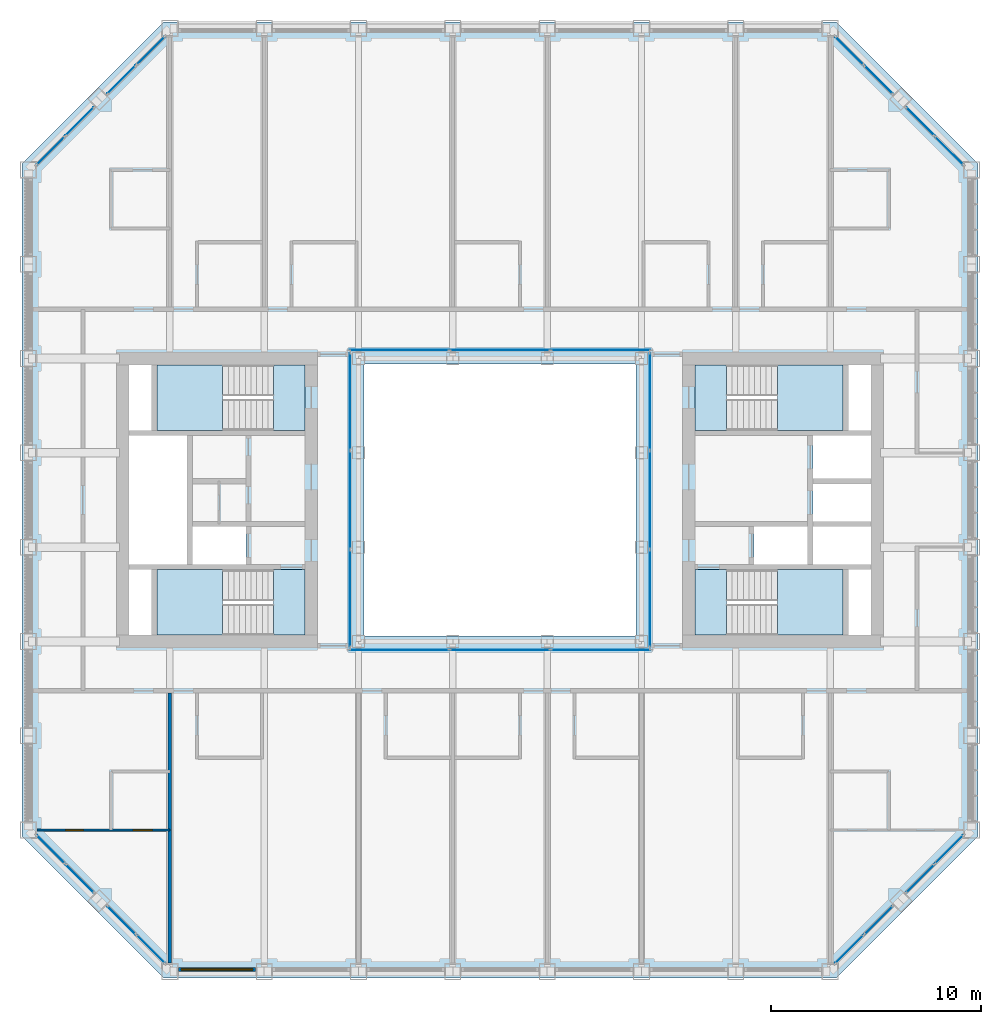
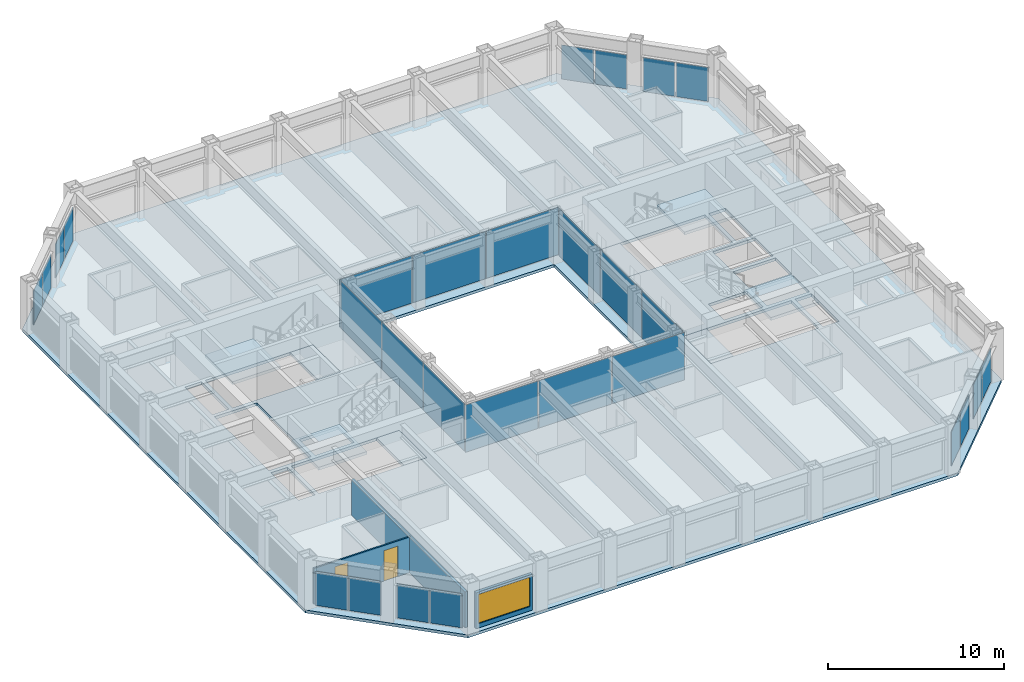
# One storey, part 9 of 17: 28 plates, 9 slabs, 3 walls, 2 doors, 1 window, 3 openings, 16 elements without a shape of their own.
"""IFC4 building model written with IfcOpenShell, lengths in metres."""

from ifc_helpers import new_model, si_unit, direction, frame, frame_2d, origin, origin_2d, place, context, subcontext, project, spatial, polyline, rectangle, outline, extrude, material, layer, layer_set, type_object, element, fill, aggregate, save


model = new_model("IFC4")

# Units and contexts
model_context = context("Model", 3, precision=1e-05, world=origin(), true_north=direction((0.0, 1.0)))
body_context = subcontext(model_context, "Body", "Model", "MODEL_VIEW")
ifc_project = project(units=[si_unit("LENGTHUNIT", "METRE"), si_unit("AREAUNIT", "SQUARE_METRE"), si_unit("VOLUMEUNIT", "CUBIC_METRE"), si_unit("PLANEANGLEUNIT", "RADIAN"), si_unit("MASSUNIT", "GRAM", prefix="KILO")], contexts=[model_context])

# Site, building, storey
site_placement = place(None, origin())
site = spatial("IfcSite", under=ifc_project, at=site_placement, CompositionType="ELEMENT")
building_placement = place(site_placement, origin())
building = spatial("IfcBuilding", under=site, at=building_placement, Name="Msasa Ring Tower", CompositionType="ELEMENT")
storey_placement = place(building_placement, frame((0.0, 0.0, 154.39990234375)))
storey = spatial("IfcBuildingStorey", under=building, at=storey_placement, Name="L40", CompositionType="ELEMENT", Elevation=154.39990234375)

# Curtain wall, plates
ifc_material_1 = material(Name="Aluminium curtain wall with clear glass", Category="aluminium")
curtain_wall_type_1 = type_object("IfcCurtainWallType", Name="CW-C CHAMFER CORNER CURTAIN WALL", PredefinedType="NOTDEFINED", material=ifc_material_1)
curtain_wall_1_placement = place(storey_placement, origin())
curtain_wall_1 = element("IfcCurtainWall", 1, at=curtain_wall_1_placement, inside=storey, type_object=curtain_wall_type_1, Name="Chamfer corner curtain wall SE L40", PredefinedType="NOTDEFINED")
ifc_material_2 = material(Name="Clear laminated insulating glass unit", Category="glass")
ifc_layer_1 = layer(ifc_material_2, 0.031982421875)
ifc_layer_set_1 = layer_set([ifc_layer_1], Name="CW-C GLASS PANEL 32")
plate_type_1 = type_object("IfcPlateType", Name="CW-C GLASS PANEL 32", PredefinedType="CURTAIN_PANEL", material=ifc_layer_set_1)
plate_1_placement = place(storey_placement, frame((16.677734375, -21.430908203125, 0.06494140625), z_axis=(0.0, 0.0, 1.0), x_axis=(0.707106781187, 0.707106781187, 0.0)))
plate_1 = element("IfcPlate", 2, at=plate_1_placement, type_object=plate_type_1, Name="CW-C panel 1.1", PredefinedType="CURTAIN_PANEL", context=body_context, shape_type="SweptSolid", body=[
    extrude(rectangle(XDim=1.884033203125, YDim=0.031982421875, at=origin_2d()), origin(), (0.0, 0.0, 1.0), 2.34912109375),
])
plate_2_placement = place(storey_placement, frame((18.055908203125, -20.052734375, 0.06494140625), z_axis=(0.0, 0.0, 1.0), x_axis=(0.707106781187, 0.707106781187, 0.0)))
plate_2 = element("IfcPlate", 3, at=plate_2_placement, type_object=plate_type_1, Name="CW-C panel 2.1", PredefinedType="CURTAIN_PANEL", context=body_context, shape_type="SweptSolid", body=[
    extrude(rectangle(XDim=1.884033203125, YDim=0.031982421875, at=origin_2d()), origin(), (0.0, 0.0, 1.0), 2.34912109375),
])
aggregate(curtain_wall_1, [plate_1, plate_2])

curtain_wall_2_placement = place(storey_placement, origin())
curtain_wall_2 = element("IfcCurtainWall", 4, at=curtain_wall_2_placement, inside=storey, type_object=curtain_wall_type_1, Name="Chamfer corner curtain wall SE L40", PredefinedType="NOTDEFINED")
plate_3_placement = place(storey_placement, frame((20.052734375, -18.055908203125, 0.06494140625), z_axis=(0.0, 0.0, 1.0), x_axis=(0.707106781187, 0.707106781187, 0.0)))
plate_3 = element("IfcPlate", 5, at=plate_3_placement, type_object=plate_type_1, Name="CW-C panel 1.1", PredefinedType="CURTAIN_PANEL", context=body_context, shape_type="SweptSolid", body=[
    extrude(rectangle(XDim=1.884033203125, YDim=0.031982421875, at=origin_2d()), origin(), (0.0, 0.0, 1.0), 2.34912109375),
])
plate_4_placement = place(storey_placement, frame((21.430908203125, -16.677734375, 0.06494140625), z_axis=(0.0, 0.0, 1.0), x_axis=(0.707106781187, 0.707106781187, 0.0)))
plate_4 = element("IfcPlate", 6, at=plate_4_placement, type_object=plate_type_1, Name="CW-C panel 2.1", PredefinedType="CURTAIN_PANEL", context=body_context, shape_type="SweptSolid", body=[
    extrude(rectangle(XDim=1.884033203125, YDim=0.031982421875, at=origin_2d()), origin(), (0.0, 0.0, 1.0), 2.34912109375),
])
aggregate(curtain_wall_2, [plate_3, plate_4])

curtain_wall_3_placement = place(storey_placement, origin())
curtain_wall_3 = element("IfcCurtainWall", 7, at=curtain_wall_3_placement, inside=storey, type_object=curtain_wall_type_1, Name="Chamfer corner curtain wall NE L40", PredefinedType="NOTDEFINED")
plate_5_placement = place(storey_placement, frame((18.055908203125, 20.052734375, 0.06494140625), z_axis=(0.0, 0.0, 1.0), x_axis=(-0.707106781187, 0.707106781187, 0.0)))
plate_5 = element("IfcPlate", 8, at=plate_5_placement, type_object=plate_type_1, Name="CW-C panel 1.1", PredefinedType="CURTAIN_PANEL", context=body_context, shape_type="SweptSolid", body=[
    extrude(rectangle(XDim=1.884033203125, YDim=0.031982421875, at=origin_2d()), origin(), (0.0, 0.0, 1.0), 2.34912109375),
])
plate_6_placement = place(storey_placement, frame((16.677734375, 21.430908203125, 0.06494140625), z_axis=(0.0, 0.0, 1.0), x_axis=(-0.707106781187, 0.707106781187, 0.0)))
plate_6 = element("IfcPlate", 9, at=plate_6_placement, type_object=plate_type_1, Name="CW-C panel 2.1", PredefinedType="CURTAIN_PANEL", context=body_context, shape_type="SweptSolid", body=[
    extrude(rectangle(XDim=1.884033203125, YDim=0.031982421875, at=origin_2d()), origin(), (0.0, 0.0, 1.0), 2.34912109375),
])
aggregate(curtain_wall_3, [plate_5, plate_6])

curtain_wall_4_placement = place(storey_placement, origin())
curtain_wall_4 = element("IfcCurtainWall", 10, at=curtain_wall_4_placement, inside=storey, type_object=curtain_wall_type_1, Name="Chamfer corner curtain wall NE L40", PredefinedType="NOTDEFINED")
plate_7_placement = place(storey_placement, frame((21.430908203125, 16.677734375, 0.06494140625), z_axis=(0.0, 0.0, 1.0), x_axis=(-0.707106781187, 0.707106781187, 0.0)))
plate_7 = element("IfcPlate", 11, at=plate_7_placement, type_object=plate_type_1, Name="CW-C panel 1.1", PredefinedType="CURTAIN_PANEL", context=body_context, shape_type="SweptSolid", body=[
    extrude(rectangle(XDim=1.884033203125, YDim=0.031982421875, at=origin_2d()), origin(), (0.0, 0.0, 1.0), 2.34912109375),
])
plate_8_placement = place(storey_placement, frame((20.052734375, 18.055908203125, 0.06494140625), z_axis=(0.0, 0.0, 1.0), x_axis=(-0.707106781187, 0.707106781187, 0.0)))
plate_8 = element("IfcPlate", 12, at=plate_8_placement, type_object=plate_type_1, Name="CW-C panel 2.1", PredefinedType="CURTAIN_PANEL", context=body_context, shape_type="SweptSolid", body=[
    extrude(rectangle(XDim=1.884033203125, YDim=0.031982421875, at=origin_2d()), origin(), (0.0, 0.0, 1.0), 2.34912109375),
])
aggregate(curtain_wall_4, [plate_7, plate_8])

curtain_wall_5_placement = place(storey_placement, origin())
curtain_wall_5 = element("IfcCurtainWall", 13, at=curtain_wall_5_placement, inside=storey, type_object=curtain_wall_type_1, Name="Chamfer corner curtain wall NW L40", PredefinedType="NOTDEFINED")
plate_9_placement = place(storey_placement, frame((-20.052734375, 18.055908203125, 0.06494140625), z_axis=(0.0, 0.0, 1.0), x_axis=(-0.707106781187, -0.707106781187, 0.0)))
plate_9 = element("IfcPlate", 14, at=plate_9_placement, type_object=plate_type_1, Name="CW-C panel 1.1", PredefinedType="CURTAIN_PANEL", context=body_context, shape_type="SweptSolid", body=[
    extrude(rectangle(XDim=1.884033203125, YDim=0.031982421875, at=origin_2d()), origin(), (0.0, 0.0, 1.0), 2.34912109375),
])
plate_10_placement = place(storey_placement, frame((-21.430908203125, 16.677734375, 0.06494140625), z_axis=(0.0, 0.0, 1.0), x_axis=(-0.707106781187, -0.707106781187, 0.0)))
plate_10 = element("IfcPlate", 15, at=plate_10_placement, type_object=plate_type_1, Name="CW-C panel 2.1", PredefinedType="CURTAIN_PANEL", context=body_context, shape_type="SweptSolid", body=[
    extrude(rectangle(XDim=1.884033203125, YDim=0.031982421875, at=origin_2d()), origin(), (0.0, 0.0, 1.0), 2.34912109375),
])
aggregate(curtain_wall_5, [plate_9, plate_10])

curtain_wall_6_placement = place(storey_placement, origin())
curtain_wall_6 = element("IfcCurtainWall", 16, at=curtain_wall_6_placement, inside=storey, type_object=curtain_wall_type_1, Name="Chamfer corner curtain wall NW L40", PredefinedType="NOTDEFINED")
plate_11_placement = place(storey_placement, frame((-16.677734375, 21.430908203125, 0.06494140625), z_axis=(0.0, 0.0, 1.0), x_axis=(-0.707106781187, -0.707106781187, 0.0)))
plate_11 = element("IfcPlate", 17, at=plate_11_placement, type_object=plate_type_1, Name="CW-C panel 1.1", PredefinedType="CURTAIN_PANEL", context=body_context, shape_type="SweptSolid", body=[
    extrude(rectangle(XDim=1.884033203125, YDim=0.031982421875, at=origin_2d()), origin(), (0.0, 0.0, 1.0), 2.34912109375),
])
plate_12_placement = place(storey_placement, frame((-18.055908203125, 20.052734375, 0.06494140625), z_axis=(0.0, 0.0, 1.0), x_axis=(-0.707106781187, -0.707106781187, 0.0)))
plate_12 = element("IfcPlate", 18, at=plate_12_placement, type_object=plate_type_1, Name="CW-C panel 2.1", PredefinedType="CURTAIN_PANEL", context=body_context, shape_type="SweptSolid", body=[
    extrude(rectangle(XDim=1.884033203125, YDim=0.031982421875, at=origin_2d()), origin(), (0.0, 0.0, 1.0), 2.34912109375),
])
aggregate(curtain_wall_6, [plate_11, plate_12])

curtain_wall_7_placement = place(storey_placement, origin())
curtain_wall_7 = element("IfcCurtainWall", 19, at=curtain_wall_7_placement, inside=storey, type_object=curtain_wall_type_1, Name="Chamfer corner curtain wall SW L40", PredefinedType="NOTDEFINED")
plate_13_placement = place(storey_placement, frame((-21.430908203125, -16.677734375, 0.06494140625), z_axis=(0.0, 0.0, 1.0), x_axis=(0.707106781187, -0.707106781187, 0.0)))
plate_13 = element("IfcPlate", 20, at=plate_13_placement, type_object=plate_type_1, Name="CW-C panel 1.1", PredefinedType="CURTAIN_PANEL", context=body_context, shape_type="SweptSolid", body=[
    extrude(rectangle(XDim=1.884033203125, YDim=0.031982421875, at=origin_2d()), origin(), (0.0, 0.0, 1.0), 2.34912109375),
])
plate_14_placement = place(storey_placement, frame((-20.052734375, -18.055908203125, 0.06494140625), z_axis=(0.0, 0.0, 1.0), x_axis=(0.707106781187, -0.707106781187, 0.0)))
plate_14 = element("IfcPlate", 21, at=plate_14_placement, type_object=plate_type_1, Name="CW-C panel 2.1", PredefinedType="CURTAIN_PANEL", context=body_context, shape_type="SweptSolid", body=[
    extrude(rectangle(XDim=1.884033203125, YDim=0.031982421875, at=origin_2d()), origin(), (0.0, 0.0, 1.0), 2.34912109375),
])
aggregate(curtain_wall_7, [plate_13, plate_14])

curtain_wall_8_placement = place(storey_placement, origin())
curtain_wall_8 = element("IfcCurtainWall", 22, at=curtain_wall_8_placement, inside=storey, type_object=curtain_wall_type_1, Name="Chamfer corner curtain wall SW L40", PredefinedType="NOTDEFINED")
plate_15_placement = place(storey_placement, frame((-18.055908203125, -20.052734375, 0.06494140625), z_axis=(0.0, 0.0, 1.0), x_axis=(0.707106781187, -0.707106781187, 0.0)))
plate_15 = element("IfcPlate", 23, at=plate_15_placement, type_object=plate_type_1, Name="CW-C panel 1.1", PredefinedType="CURTAIN_PANEL", context=body_context, shape_type="SweptSolid", body=[
    extrude(rectangle(XDim=1.884033203125, YDim=0.031982421875, at=origin_2d()), origin(), (0.0, 0.0, 1.0), 2.34912109375),
])
plate_16_placement = place(storey_placement, frame((-16.677734375, -21.430908203125, 0.06494140625), z_axis=(0.0, 0.0, 1.0), x_axis=(0.707106781187, -0.707106781187, 0.0)))
plate_16 = element("IfcPlate", 24, at=plate_16_placement, type_object=plate_type_1, Name="CW-C panel 2.1", PredefinedType="CURTAIN_PANEL", context=body_context, shape_type="SweptSolid", body=[
    extrude(rectangle(XDim=1.884033203125, YDim=0.031982421875, at=origin_2d()), origin(), (0.0, 0.0, 1.0), 2.34912109375),
])
aggregate(curtain_wall_8, [plate_15, plate_16])

ifc_material_3 = material(Name="Aluminium curtain wall with clear glass", Category="aluminium")
curtain_wall_type_2 = type_object("IfcCurtainWallType", Name="CW-W LIGHT WELL CURTAIN WALL", PredefinedType="NOTDEFINED", material=ifc_material_3)
curtain_wall_9_placement = place(storey_placement, origin())
curtain_wall_9 = element("IfcCurtainWall", 25, at=curtain_wall_9_placement, inside=storey, type_object=curtain_wall_type_2, Name="Light well curtain wall N L40", PredefinedType="NOTDEFINED")
ifc_material_4 = material(Name="Clear laminated insulating glass unit", Category="glass")
ifc_layer_2 = layer(ifc_material_4, 0.028076171875)
ifc_layer_set_2 = layer_set([ifc_layer_2], Name="CW-W GLASS PANEL 28")
plate_type_2 = type_object("IfcPlateType", Name="CW-W GLASS PANEL 28", PredefinedType="CURTAIN_PANEL", material=ifc_layer_set_2)
plate_17_placement = place(storey_placement, frame((-4.804931640625, 7.14990234375, 0.06005859375), z_axis=(0.0, 0.0, 1.0), x_axis=(1.0, 0.0, 0.0)))
plate_17 = element("IfcPlate", 26, at=plate_17_placement, type_object=plate_type_2, Name="CW-W panel 1.1", PredefinedType="CURTAIN_PANEL", context=body_context, shape_type="SweptSolid", body=[
    extrude(rectangle(XDim=4.72998046875, YDim=0.028076171875, at=origin_2d()), origin(), (0.0, 0.0, 1.0), 3.280029296875),
])
plate_18_placement = place(storey_placement, frame((0.0, 7.14990234375, 0.06005859375), z_axis=(0.0, 0.0, 1.0), x_axis=(1.0, 0.0, 0.0)))
plate_18 = element("IfcPlate", 27, at=plate_18_placement, type_object=plate_type_2, Name="CW-W panel 2.1", PredefinedType="CURTAIN_PANEL", context=body_context, shape_type="SweptSolid", body=[
    extrude(rectangle(XDim=4.760009765625, YDim=0.028076171875, at=origin_2d()), origin(), (0.0, 0.0, 1.0), 3.280029296875),
])
plate_19_placement = place(storey_placement, frame((4.804931640625, 7.14990234375, 0.06005859375), z_axis=(0.0, 0.0, 1.0), x_axis=(1.0, 0.0, 0.0)))
plate_19 = element("IfcPlate", 28, at=plate_19_placement, type_object=plate_type_2, Name="CW-W panel 3.1", PredefinedType="CURTAIN_PANEL", context=body_context, shape_type="SweptSolid", body=[
    extrude(rectangle(XDim=4.72998046875, YDim=0.028076171875, at=origin_2d()), origin(), (0.0, 0.0, 1.0), 3.280029296875),
])
aggregate(curtain_wall_9, [plate_17, plate_18, plate_19])

curtain_wall_10_placement = place(storey_placement, origin())
curtain_wall_10 = element("IfcCurtainWall", 29, at=curtain_wall_10_placement, inside=storey, type_object=curtain_wall_type_2, Name="Light well curtain wall S L40", PredefinedType="NOTDEFINED")
plate_20_placement = place(storey_placement, frame((-4.804931640625, -7.14990234375, 0.06005859375), z_axis=(0.0, 0.0, 1.0), x_axis=(1.0, 0.0, 0.0)))
plate_20 = element("IfcPlate", 30, at=plate_20_placement, type_object=plate_type_2, Name="CW-W panel 1.1", PredefinedType="CURTAIN_PANEL", context=body_context, shape_type="SweptSolid", body=[
    extrude(rectangle(XDim=4.72998046875, YDim=0.028076171875, at=origin_2d()), origin(), (0.0, 0.0, 1.0), 3.280029296875),
])
plate_21_placement = place(storey_placement, frame((0.0, -7.14990234375, 0.06005859375), z_axis=(0.0, 0.0, 1.0), x_axis=(1.0, 0.0, 0.0)))
plate_21 = element("IfcPlate", 31, at=plate_21_placement, type_object=plate_type_2, Name="CW-W panel 2.1", PredefinedType="CURTAIN_PANEL", context=body_context, shape_type="SweptSolid", body=[
    extrude(rectangle(XDim=4.760009765625, YDim=0.028076171875, at=origin_2d()), origin(), (0.0, 0.0, 1.0), 3.280029296875),
])
plate_22_placement = place(storey_placement, frame((4.804931640625, -7.14990234375, 0.06005859375), z_axis=(0.0, 0.0, 1.0), x_axis=(1.0, 0.0, 0.0)))
plate_22 = element("IfcPlate", 32, at=plate_22_placement, type_object=plate_type_2, Name="CW-W panel 3.1", PredefinedType="CURTAIN_PANEL", context=body_context, shape_type="SweptSolid", body=[
    extrude(rectangle(XDim=4.72998046875, YDim=0.028076171875, at=origin_2d()), origin(), (0.0, 0.0, 1.0), 3.280029296875),
])
aggregate(curtain_wall_10, [plate_20, plate_21, plate_22])

curtain_wall_11_placement = place(storey_placement, origin())
curtain_wall_11 = element("IfcCurtainWall", 33, at=curtain_wall_11_placement, inside=storey, type_object=curtain_wall_type_2, Name="Light well curtain wall E L40", PredefinedType="NOTDEFINED")
plate_23_placement = place(storey_placement, frame((7.14990234375, -4.6982421875, 0.06005859375), z_axis=(0.0, 0.0, 1.0), x_axis=(0.0, 1.0, 0.0)))
plate_23 = element("IfcPlate", 34, at=plate_23_placement, type_object=plate_type_2, Name="CW-W panel 1.1", PredefinedType="CURTAIN_PANEL", context=body_context, shape_type="SweptSolid", body=[
    extrude(rectangle(XDim=4.623291015625, YDim=0.028076171875, at=origin_2d()), origin(), (0.0, 0.0, 1.0), 3.280029296875),
])
plate_24_placement = place(storey_placement, frame((7.14990234375, 0.0, 0.06005859375), z_axis=(0.0, 0.0, 1.0), x_axis=(0.0, 1.0, 0.0)))
plate_24 = element("IfcPlate", 35, at=plate_24_placement, type_object=plate_type_2, Name="CW-W panel 2.1", PredefinedType="CURTAIN_PANEL", context=body_context, shape_type="SweptSolid", body=[
    extrude(rectangle(XDim=4.6533203125, YDim=0.028076171875, at=origin_2d()), origin(), (0.0, 0.0, 1.0), 3.280029296875),
])
plate_25_placement = place(storey_placement, frame((7.14990234375, 4.6982421875, 0.06005859375), z_axis=(0.0, 0.0, 1.0), x_axis=(0.0, 1.0, 0.0)))
plate_25 = element("IfcPlate", 36, at=plate_25_placement, type_object=plate_type_2, Name="CW-W panel 3.1", PredefinedType="CURTAIN_PANEL", context=body_context, shape_type="SweptSolid", body=[
    extrude(rectangle(XDim=4.623291015625, YDim=0.028076171875, at=origin_2d()), origin(), (0.0, 0.0, 1.0), 3.280029296875),
])
aggregate(curtain_wall_11, [plate_23, plate_24, plate_25])

curtain_wall_12_placement = place(storey_placement, origin())
curtain_wall_12 = element("IfcCurtainWall", 37, at=curtain_wall_12_placement, inside=storey, type_object=curtain_wall_type_2, Name="Light well curtain wall W L40", PredefinedType="NOTDEFINED")
plate_26_placement = place(storey_placement, frame((-7.14990234375, -4.6982421875, 0.06005859375), z_axis=(0.0, 0.0, 1.0), x_axis=(0.0, 1.0, 0.0)))
plate_26 = element("IfcPlate", 38, at=plate_26_placement, type_object=plate_type_2, Name="CW-W panel 1.1", PredefinedType="CURTAIN_PANEL", context=body_context, shape_type="SweptSolid", body=[
    extrude(rectangle(XDim=4.623291015625, YDim=0.028076171875, at=origin_2d()), origin(), (0.0, 0.0, 1.0), 3.280029296875),
])
plate_27_placement = place(storey_placement, frame((-7.14990234375, 0.0, 0.06005859375), z_axis=(0.0, 0.0, 1.0), x_axis=(0.0, 1.0, 0.0)))
plate_27 = element("IfcPlate", 39, at=plate_27_placement, type_object=plate_type_2, Name="CW-W panel 2.1", PredefinedType="CURTAIN_PANEL", context=body_context, shape_type="SweptSolid", body=[
    extrude(rectangle(XDim=4.6533203125, YDim=0.028076171875, at=origin_2d()), origin(), (0.0, 0.0, 1.0), 3.280029296875),
])
plate_28_placement = place(storey_placement, frame((-7.14990234375, 4.6982421875, 0.06005859375), z_axis=(0.0, 0.0, 1.0), x_axis=(0.0, 1.0, 0.0)))
plate_28 = element("IfcPlate", 40, at=plate_28_placement, type_object=plate_type_2, Name="CW-W panel 3.1", PredefinedType="CURTAIN_PANEL", context=body_context, shape_type="SweptSolid", body=[
    extrude(rectangle(XDim=4.623291015625, YDim=0.028076171875, at=origin_2d()), origin(), (0.0, 0.0, 1.0), 3.280029296875),
])
aggregate(curtain_wall_12, [plate_26, plate_27, plate_28])

# Stair, slabs
ifc_material_5 = material(Name="Concrete C40/50", Category="concrete")
stair_type = type_object("IfcStairType", Name="STC CORE STAIR 20 RISERS 180", PredefinedType="HALF_TURN_STAIR", material=ifc_material_5)
stair_1_placement = place(storey_placement, origin())
stair_1 = element("IfcStair", 41, at=stair_1_placement, inside=storey, type_object=stair_type, Name="Core stair SEA L40", PredefinedType="HALF_TURN_STAIR")
ifc_material_6 = material(Name="Concrete C40/50", Category="concrete")
ifc_layer_3 = layer(ifc_material_6, 0.199951171875)
ifc_layer_set_3 = layer_set([ifc_layer_3], Name="LD1 CORE STAIR LANDING 200")
slab_type_1 = type_object("IfcSlabType", Name="LD1 CORE STAIR LANDING 200", PredefinedType="LANDING", material=ifc_layer_set_3)
slab_1_placement = place(storey_placement, frame((0.0, 0.0, -0.199951171875)))
slab_1 = element("IfcSlab", 42, at=slab_1_placement, type_object=slab_type_1, Name="SEA landing 1", PredefinedType="LANDING", context=body_context, shape_type="SweptSolid", body=[
    extrude(outline(polyline([(9.300048828125, -6.449951171875), (10.800048828125, -6.449951171875), (10.800048828125, -3.324951171875), (9.300048828125, -3.324951171875), (9.300048828125, -6.449951171875)])), origin(), (0.0, 0.0, 1.0), 0.199951171875),
])
slab_2_placement = place(storey_placement, frame((0.0, 0.0, 1.60009765625)))
slab_2 = element("IfcSlab", 43, at=slab_2_placement, type_object=slab_type_1, Name="SEA landing 2", PredefinedType="LANDING", context=body_context, shape_type="SweptSolid", body=[
    extrude(outline(polyline([(13.22998046875, -6.449951171875), (16.375, -6.449951171875), (16.375, -3.324951171875), (13.22998046875, -3.324951171875), (13.22998046875, -6.449951171875)])), origin(), (0.0, 0.0, 1.0), 0.199951171875),
])
aggregate(stair_1, [slab_1, slab_2])

stair_2_placement = place(storey_placement, origin())
stair_2 = element("IfcStair", 44, at=stair_2_placement, inside=storey, type_object=stair_type, Name="Core stair SEB L40", PredefinedType="HALF_TURN_STAIR")
slab_3_placement = place(storey_placement, frame((0.0, 0.0, -0.199951171875)))
slab_3 = element("IfcSlab", 45, at=slab_3_placement, type_object=slab_type_1, Name="SEB landing 1", PredefinedType="LANDING", context=body_context, shape_type="SweptSolid", body=[
    extrude(outline(polyline([(9.300048828125, 3.324951171875), (10.800048828125, 3.324951171875), (10.800048828125, 6.449951171875), (9.300048828125, 6.449951171875), (9.300048828125, 3.324951171875)])), origin(), (0.0, 0.0, 1.0), 0.199951171875),
])
slab_4_placement = place(storey_placement, frame((0.0, 0.0, 1.60009765625)))
slab_4 = element("IfcSlab", 46, at=slab_4_placement, type_object=slab_type_1, Name="SEB landing 2", PredefinedType="LANDING", context=body_context, shape_type="SweptSolid", body=[
    extrude(outline(polyline([(13.22998046875, 3.324951171875), (16.375, 3.324951171875), (16.375, 6.449951171875), (13.22998046875, 6.449951171875), (13.22998046875, 3.324951171875)])), origin(), (0.0, 0.0, 1.0), 0.199951171875),
])
aggregate(stair_2, [slab_3, slab_4])

stair_3_placement = place(storey_placement, origin())
stair_3 = element("IfcStair", 47, at=stair_3_placement, inside=storey, type_object=stair_type, Name="Core stair SWA L40", PredefinedType="HALF_TURN_STAIR")
slab_5_placement = place(storey_placement, frame((0.0, 0.0, -0.199951171875)))
slab_5 = element("IfcSlab", 48, at=slab_5_placement, type_object=slab_type_1, Name="SWA landing 1", PredefinedType="LANDING", context=body_context, shape_type="SweptSolid", body=[
    extrude(outline(polyline([(-10.800048828125, -6.449951171875), (-9.300048828125, -6.449951171875), (-9.300048828125, -3.324951171875), (-10.800048828125, -3.324951171875), (-10.800048828125, -6.449951171875)])), origin(), (0.0, 0.0, 1.0), 0.199951171875),
])
slab_6_placement = place(storey_placement, frame((0.0, 0.0, 1.60009765625)))
slab_6 = element("IfcSlab", 49, at=slab_6_placement, type_object=slab_type_1, Name="SWA landing 2", PredefinedType="LANDING", context=body_context, shape_type="SweptSolid", body=[
    extrude(outline(polyline([(-16.375, -6.449951171875), (-13.22998046875, -6.449951171875), (-13.22998046875, -3.324951171875), (-16.375, -3.324951171875), (-16.375, -6.449951171875)])), origin(), (0.0, 0.0, 1.0), 0.199951171875),
])
aggregate(stair_3, [slab_5, slab_6])

stair_4_placement = place(storey_placement, origin())
stair_4 = element("IfcStair", 50, at=stair_4_placement, inside=storey, type_object=stair_type, Name="Core stair SWB L40", PredefinedType="HALF_TURN_STAIR")
slab_7_placement = place(storey_placement, frame((0.0, 0.0, -0.199951171875)))
slab_7 = element("IfcSlab", 51, at=slab_7_placement, type_object=slab_type_1, Name="SWB landing 1", PredefinedType="LANDING", context=body_context, shape_type="SweptSolid", body=[
    extrude(outline(polyline([(-10.800048828125, 3.324951171875), (-9.300048828125, 3.324951171875), (-9.300048828125, 6.449951171875), (-10.800048828125, 6.449951171875), (-10.800048828125, 3.324951171875)])), origin(), (0.0, 0.0, 1.0), 0.199951171875),
])
slab_8_placement = place(storey_placement, frame((0.0, 0.0, 1.60009765625)))
slab_8 = element("IfcSlab", 52, at=slab_8_placement, type_object=slab_type_1, Name="SWB landing 2", PredefinedType="LANDING", context=body_context, shape_type="SweptSolid", body=[
    extrude(outline(polyline([(-16.375, 3.324951171875), (-13.22998046875, 3.324951171875), (-13.22998046875, 6.449951171875), (-16.375, 6.449951171875), (-16.375, 3.324951171875)])), origin(), (0.0, 0.0, 1.0), 0.199951171875),
])
aggregate(stair_4, [slab_7, slab_8])

# Slab
ifc_material_7 = material(Name="Concrete C40/50", Category="concrete")
ifc_layer_4 = layer(ifc_material_7, 0.199951171875)
ifc_layer_set_4 = layer_set([ifc_layer_4], Name="S6 GUEST FLOOR 200")
slab_type_2 = type_object("IfcSlabType", Name="S6 GUEST FLOOR 200", PredefinedType="FLOOR", material=ifc_layer_set_4)
slab_9_placement = place(storey_placement, frame((0.0, 0.0, -0.199951171875)))
element("IfcSlab", 53, at=slab_9_placement, inside=storey, type_object=slab_type_2, Name="Floor slab L40", PredefinedType="FLOOR", context=body_context, shape_type="SweptSolid", body=[
    extrude(outline(polyline([(-16.050048828125, -22.800048828125), (16.050048828125, -22.800048828125), (22.800048828125, -16.050048828125), (22.800048828125, 16.050048828125), (16.050048828125, 22.800048828125), (-16.050048828125, 22.800048828125), (-22.800048828125, 16.050048828125), (-22.800048828125, -16.050048828125), (-16.050048828125, -22.800048828125)]), holes=[polyline([(-6.5, -6.5), (6.5, -6.5), (6.5, 6.5), (-6.5, 6.5), (-6.5, -6.5)]), polyline([(9.300048828125, -6.449951171875), (16.375, -6.449951171875), (16.375, -3.324951171875), (9.300048828125, -3.324951171875), (9.300048828125, -6.449951171875)]), polyline([(9.300048828125, 3.324951171875), (16.375, 3.324951171875), (16.375, 6.449951171875), (9.300048828125, 6.449951171875), (9.300048828125, 3.324951171875)]), polyline([(12.125, -3.074951171875), (14.675048828125, -3.074951171875), (14.675048828125, -1.27490234375), (12.125, -1.27490234375), (12.125, -3.074951171875)]), polyline([(16.625, -6.449951171875), (17.699951171875, -6.449951171875), (17.699951171875, -3.324951171875), (16.625, -3.324951171875), (16.625, -6.449951171875)]), polyline([(16.625, 3.324951171875), (17.699951171875, 3.324951171875), (17.699951171875, 6.449951171875), (16.625, 6.449951171875), (16.625, 3.324951171875)]), polyline([(14.925048828125, -3.074951171875), (17.699951171875, -3.074951171875), (17.699951171875, -1.27490234375), (14.925048828125, -1.27490234375), (14.925048828125, -3.074951171875)]), polyline([(14.925048828125, -1.02490234375), (17.699951171875, -1.02490234375), (17.699951171875, 0.77490234375), (14.925048828125, 0.77490234375), (14.925048828125, -1.02490234375)]), polyline([(14.925048828125, 1.02490234375), (17.699951171875, 1.02490234375), (17.699951171875, 3.074951171875), (14.925048828125, 3.074951171875), (14.925048828125, 1.02490234375)]), polyline([(-16.375, -6.449951171875), (-9.300048828125, -6.449951171875), (-9.300048828125, -3.324951171875), (-16.375, -3.324951171875), (-16.375, -6.449951171875)]), polyline([(-16.375, 3.324951171875), (-9.300048828125, 3.324951171875), (-9.300048828125, 6.449951171875), (-16.375, 6.449951171875), (-16.375, 3.324951171875)]), polyline([(-14.675048828125, -3.074951171875), (-12.125, -3.074951171875), (-12.125, -1.27490234375), (-14.675048828125, -1.27490234375), (-14.675048828125, -3.074951171875)]), polyline([(-17.699951171875, -6.449951171875), (-16.625, -6.449951171875), (-16.625, -3.324951171875), (-17.699951171875, -3.324951171875), (-17.699951171875, -6.449951171875)]), polyline([(-17.699951171875, 3.324951171875), (-16.625, 3.324951171875), (-16.625, 6.449951171875), (-17.699951171875, 6.449951171875), (-17.699951171875, 3.324951171875)]), polyline([(-17.699951171875, -3.074951171875), (-14.925048828125, -3.074951171875), (-14.925048828125, 3.074951171875), (-17.699951171875, 3.074951171875), (-17.699951171875, -3.074951171875)])]), origin(), (0.0, 0.0, 1.0), 0.199951171875),
])

# Wall, opening, window
ifc_material_8 = material(Name="Terracotta rainscreen on blockwork", Category="masonry")
ifc_layer_5 = layer(ifc_material_8, 0.199951171875)
ifc_layer_set_5 = layer_set([ifc_layer_5], Name="FW1 TERRACOTTA-LINED INFILL BAY WALL 200")
wall_type_1 = type_object("IfcWallType", Name="FW1 TERRACOTTA-LINED INFILL BAY WALL 200", PredefinedType="SOLIDWALL", material=ifc_layer_set_5)
wall_1_placement = place(storey_placement, frame((-15.344970703125, -22.39990234375, 0.0), z_axis=(0.0, 0.0, 1.0), x_axis=(1.0, 0.0, 0.0)))
wall_1 = element("IfcWall", 54, at=wall_1_placement, inside=storey, type_object=wall_type_1, Name="Infill bay wall S L40 00", PredefinedType="SOLIDWALL", context=body_context, shape_type="SweptSolid", body=[
    extrude(rectangle(XDim=3.68994140625, YDim=0.199951171875, at=frame_2d((1.844970703125, 0.0))), origin(), (0.0, 0.0, 1.0), 2.47900390625),
])
opening_1_placement = place(wall_1_placement, frame((0.14501953125, 0.0, 0.300048828125)))
opening_1 = element("IfcOpeningElement", 55, at=opening_1_placement, cuts=wall_1, Name="Opening WN2", PredefinedType="OPENING", context=body_context, shape_type="SweptSolid", body=[
    extrude(rectangle(XDim=3.39990234375, YDim=2.029052734375, at=frame_2d((1.699951171875, 1.0146484375))), frame((0.0, 0.10986328125, 0.0), z_axis=(0.0, -1.0, 0.0), x_axis=(1.0, 0.0, 0.0)), (0.0, 0.0, 1.0), 0.219970703125),
])
ifc_material_9 = material(Name="Aluminium frame with clear glass", Category="aluminium")
window_type = type_object("IfcWindowType", Name="WN2 GUEST ROOM WINDOW 3400x2029", PartitioningType="SINGLE_PANEL", PredefinedType="WINDOW", material=ifc_material_9)
window_placement = place(opening_1_placement, origin())
window = element("IfcWindow", 56, at=window_placement, inside=storey, type_object=window_type, Name="Window S L40 00", OverallHeight=2.029052734375, OverallWidth=3.39990234375, PartitioningType="SINGLE_PANEL", PredefinedType="WINDOW", context=body_context, shape_type="SweptSolid", body=[
    extrude(rectangle(XDim=3.39990234375, YDim=2.029052734375, at=frame_2d((1.699951171875, 1.0146484375))), frame((0.0, 0.030029296875, 0.0), z_axis=(0.0, -1.0, 0.0), x_axis=(1.0, 0.0, 0.0)), (0.0, 0.0, 1.0), 0.06005859375),
])
fill(opening_1, window)

# Wall, openings, doors
ifc_material_10 = material(Name="Gypsum board on steel studs", Category="steel")
ifc_layer_6 = layer(ifc_material_10, 0.10009765625)
ifc_layer_set_6 = layer_set([ifc_layer_6], Name="PT2 STUD PARTITION 100")
wall_type_2 = type_object("IfcWallType", Name="PT2 STUD PARTITION 100", PredefinedType="PARTITIONING", material=ifc_layer_set_6)
wall_2_placement = place(storey_placement, frame((-22.10009765625, -15.75, 0.0), z_axis=(0.0, 0.0, 1.0), x_axis=(1.0, 0.0, 0.0)))
wall_2 = element("IfcWall", 57, at=wall_2_placement, inside=storey, type_object=wall_type_2, Name="Partition L40-CSSWX", PredefinedType="PARTITIONING", context=body_context, shape_type="SweptSolid", body=[
    extrude(rectangle(XDim=6.35009765625, YDim=0.10009765625, at=frame_2d((3.175048828125, 0.0))), origin(), (0.0, 0.0, 1.0), 2.473388671875),
])
opening_2_placement = place(wall_2_placement, frame((1.375, 0.0, 0.0)))
opening_2 = element("IfcOpeningElement", 58, at=opening_2_placement, cuts=wall_2, Name="Opening HD-045", PredefinedType="OPENING", context=body_context, shape_type="SweptSolid", body=[
    extrude(rectangle(XDim=0.85009765625, YDim=2.10009765625, at=frame_2d((0.425048828125, 1.050048828125))), frame((0.0, 0.06005859375, 0.0), z_axis=(0.0, -1.0, 0.0), x_axis=(1.0, 0.0, 0.0)), (0.0, 0.0, 1.0), 0.1201171875),
])
opening_3_placement = place(wall_2_placement, frame((4.60009765625, 0.0, 0.0)))
opening_3 = element("IfcOpeningElement", 59, at=opening_3_placement, cuts=wall_2, Name="Opening HD-046", PredefinedType="OPENING", context=body_context, shape_type="SweptSolid", body=[
    extrude(rectangle(XDim=0.89990234375, YDim=2.10009765625, at=frame_2d((0.449951171875, 1.050048828125))), frame((0.0, 0.06005859375, 0.0), z_axis=(0.0, -1.0, 0.0), x_axis=(1.0, 0.0, 0.0)), (0.0, 0.0, 1.0), 0.1201171875),
])
ifc_material_11 = material(Name="Timber door leaf in a steel frame", Category="steel")
door_type_1 = type_object("IfcDoorType", Name="D14 BEDROOM DOOR 850x2100", OperationType="SINGLE_SWING_LEFT", PredefinedType="DOOR", material=ifc_material_11)
door_1_placement = place(opening_2_placement, origin())
door_1 = element("IfcDoor", 60, at=door_1_placement, inside=storey, type_object=door_type_1, Name="Door L40-CSSWR1", OperationType="SINGLE_SWING_LEFT", OverallHeight=2.10009765625, OverallWidth=0.85009765625, PredefinedType="DOOR", context=body_context, shape_type="SweptSolid", body=[
    extrude(rectangle(XDim=0.85009765625, YDim=2.10009765625, at=frame_2d((0.425048828125, 1.050048828125))), frame((0.0, 0.02490234375, 0.0), z_axis=(0.0, -1.0, 0.0), x_axis=(1.0, 0.0, 0.0)), (0.0, 0.0, 1.0), 0.050048828125),
])
fill(opening_2, door_1)
ifc_material_12 = material(Name="Timber door leaf in a steel frame", Category="steel")
door_type_2 = type_object("IfcDoorType", Name="D3 BATHROOM DOOR 900x2100", OperationType="SINGLE_SWING_LEFT", PredefinedType="DOOR", material=ifc_material_12)
door_2_placement = place(opening_3_placement, origin())
door_2 = element("IfcDoor", 61, at=door_2_placement, inside=storey, type_object=door_type_2, Name="Door L40-CSSWB1", OperationType="SINGLE_SWING_RIGHT", OverallHeight=2.10009765625, OverallWidth=0.89990234375, PredefinedType="DOOR", context=body_context, shape_type="SweptSolid", body=[
    extrude(rectangle(XDim=0.89990234375, YDim=2.10009765625, at=frame_2d((0.449951171875, 1.050048828125))), frame((0.0, 0.02490234375, 0.0), z_axis=(0.0, -1.0, 0.0), x_axis=(1.0, 0.0, 0.0)), (0.0, 0.0, 1.0), 0.050048828125),
])
fill(opening_3, door_2)

# Wall
ifc_material_13 = material(Name="Twin steel studs, two layers of acoustic board each face, mineral wool", Category="steel")
ifc_layer_7 = layer(ifc_material_13, 0.175048828125)
ifc_layer_set_7 = layer_set([ifc_layer_7], Name="PT5 GUEST ROOM SEPARATING WALL 175")
wall_type_3 = type_object("IfcWallType", Name="PT5 GUEST ROOM SEPARATING WALL 175", PredefinedType="PARTITIONING", material=ifc_layer_set_7)
wall_3_placement = place(storey_placement, frame((-15.75, -22.10009765625, 0.0), z_axis=(0.0, 0.0, 1.0), x_axis=(0.0, 1.0, 0.0)))
element("IfcWall", 62, at=wall_3_placement, inside=storey, type_object=wall_type_3, Name="Partition L40-PWS-15.75", PredefinedType="PARTITIONING", context=body_context, shape_type="SweptSolid", body=[
    extrude(rectangle(XDim=12.900146484375, YDim=0.175048828125, at=frame_2d((6.4501953125, 0.0))), origin(), (0.0, 0.0, 1.0), 2.473388671875),
])

save(model, "model.ifc")
